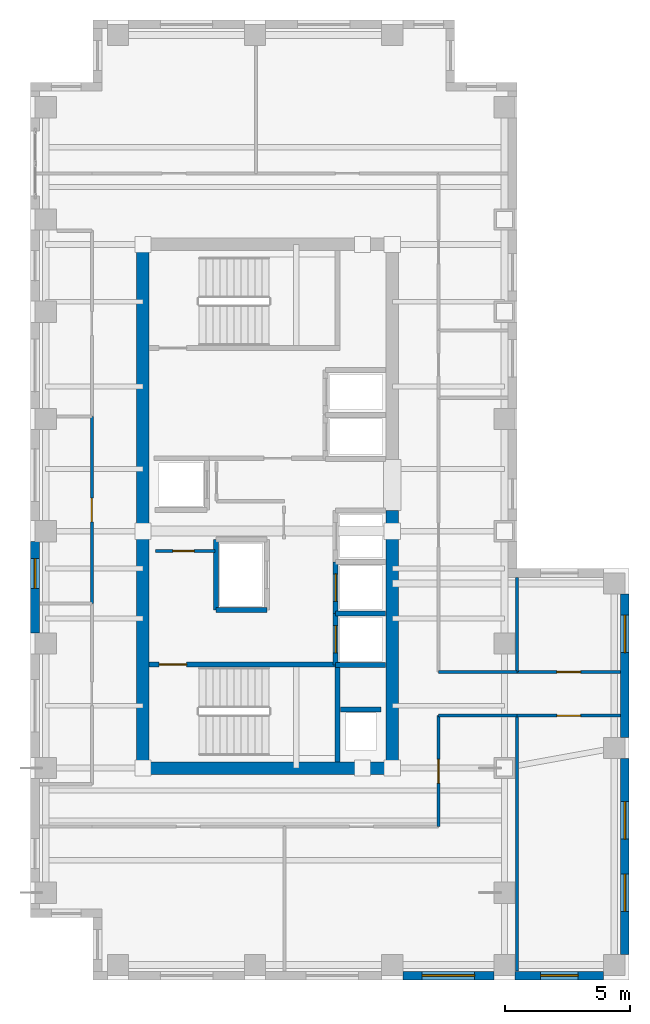
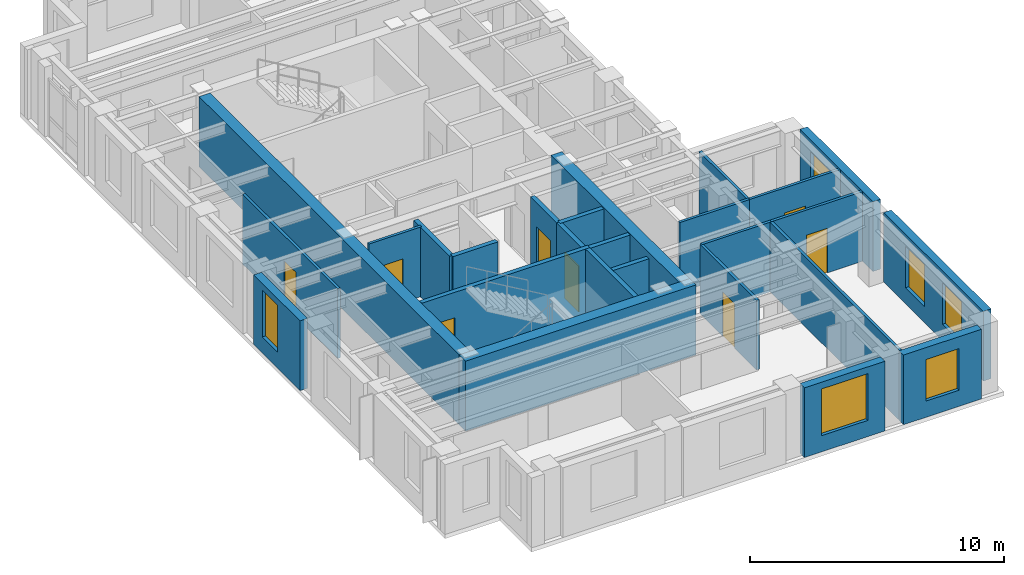
# One storey, part 6 of 10: 26 walls, 8 doors, 6 windows, 14 openings.
"""IFC4 building model written with IfcOpenShell, lengths in metres."""

from ifc_helpers import new_model, si_unit, direction, frame, frame_2d, origin, place, context, subcontext, project, spatial, rectangle, extrude, source, transform, mapped, material, layer, layer_set, type_object, element, fill, save


model = new_model("IFC4")

# Units and contexts
model_context = context("Model", 3, precision=1e-05, world=origin(), true_north=direction((0.0, 1.0)))
body_context = subcontext(model_context, "Body", "Model", "MODEL_VIEW")
ifc_project = project(units=[si_unit("LENGTHUNIT", "METRE"), si_unit("AREAUNIT", "SQUARE_METRE"), si_unit("VOLUMEUNIT", "CUBIC_METRE"), si_unit("PLANEANGLEUNIT", "RADIAN"), si_unit("MASSUNIT", "GRAM", prefix="KILO")], contexts=[model_context])

# Site, building, storey
site_placement = place(None, origin())
site = spatial("IfcSite", under=ifc_project, at=site_placement, CompositionType="ELEMENT")
building_placement = place(site_placement, origin())
building = spatial("IfcBuilding", under=site, at=building_placement, Name="Kharzan Plaza Tower", CompositionType="ELEMENT")
storey_placement = place(building_placement, frame((0.0, 0.0, 273.60009765625)))
storey = spatial("IfcBuildingStorey", under=building, at=storey_placement, Name="L74", CompositionType="ELEMENT", Elevation=273.60009765625)

# Wall, opening, window
ifc_material_1 = material(Name="Concrete C40/50", Category="concrete")
ifc_layer_1 = layer(ifc_material_1, 0.35009765625)
ifc_layer_set_1 = layer_set([ifc_layer_1], Name="Concrete C40/50")
wall_type_1 = type_object("IfcWallType", Name="WL-EXT-MAS-Z4", PredefinedType="SOLIDWALL", material=ifc_layer_set_1)
wall_1_placement = place(storey_placement, frame((0.175048828125, 17.576904296875, 0.0), z_axis=(0.0, 0.0, 1.0), x_axis=(0.0, -1.0, 0.0)))
wall_1 = element("IfcWall", 1, at=wall_1_placement, inside=storey, type_object=wall_type_1, Name="L74 Masonry-Frame Exterior Wall 14", PredefinedType="SOLIDWALL", context=body_context, shape_type="SweptSolid", body=[
    extrude(rectangle(XDim=3.65380859375, YDim=0.35009765625, at=frame_2d((1.826904296875, 0.0))), origin(), (0.0, 0.0, 1.0), 3.35498046875),
])
opening_1_placement = place(wall_1_placement, frame((0.673583984375, 0.0, 0.780029296875)))
opening_1 = element("IfcOpeningElement", 2, at=opening_1_placement, cuts=wall_1, Name="Opening W3", PredefinedType="OPENING", context=body_context, shape_type="SweptSolid", body=[
    extrude(rectangle(XDim=1.199951171875, YDim=2.25, at=frame_2d((0.60009765625, 1.125))), frame((0.0, 0.18505859375, 0.0), z_axis=(0.0, -1.0, 0.0), x_axis=(1.0, 0.0, 0.0)), (0.0, 0.0, 1.0), 0.3701171875),
])
ifc_material_2 = material(Name="Low-E Double Glazing", Category="glass")
window_type_1 = type_object("IfcWindowType", Name="WN-REC-1200x2100", PartitioningType="SINGLE_PANEL", PredefinedType="WINDOW", material=ifc_material_2)
shared_shape_1 = source(origin(), body_context, "Body", "SweptSolid", [
    extrude(rectangle(XDim=1.199951171875, YDim=2.25, at=frame_2d((0.60009765625, 1.125))), frame((0.0, 0.030029296875, 0.0), z_axis=(0.0, -1.0, 0.0), x_axis=(1.0, 0.0, 0.0)), (0.0, 0.0, 1.0), 0.06005859375),
])
window_1_placement = place(opening_1_placement, origin())
window_1 = element("IfcWindow", 3, at=window_1_placement, inside=storey, type_object=window_type_1, Name="L74 Recessed Solar-Control Window 14-1", OverallHeight=2.25, OverallWidth=1.199951171875, PartitioningType="SINGLE_PANEL", PredefinedType="WINDOW", context=body_context, shape_type="MappedRepresentation", body=[
    mapped(shared_shape_1, transform((0.0, 0.0, 0.0), x_axis=(1.0, 0.0, 0.0), y_axis=(0.0, 1.0, 0.0), z_axis=(0.0, 0.0, 1.0))),
])
fill(opening_1, window_1)

wall_2_placement = place(storey_placement, frame((14.923095703125, 0.175048828125, 0.0), z_axis=(0.0, 0.0, 1.0), x_axis=(1.0, 0.0, 0.0)))
wall_2 = element("IfcWall", 4, at=wall_2_placement, inside=storey, type_object=wall_type_1, Name="L74 Masonry-Frame Exterior Wall 23", PredefinedType="SOLIDWALL", context=body_context, shape_type="SweptSolid", body=[
    extrude(rectangle(XDim=3.65380859375, YDim=0.35009765625, at=frame_2d((1.826904296875, 0.0))), origin(), (0.0, 0.0, 1.0), 3.35498046875),
])
opening_2_placement = place(wall_2_placement, frame((0.777099609375, 0.0, 0.780029296875)))
opening_2 = element("IfcOpeningElement", 5, at=opening_2_placement, cuts=wall_2, Name="Opening W6", PredefinedType="OPENING", context=body_context, shape_type="SweptSolid", body=[
    extrude(rectangle(XDim=2.10009765625, YDim=2.25, at=frame_2d((1.050048828125, 1.125))), frame((0.0, 0.18505859375, 0.0), z_axis=(0.0, -1.0, 0.0), x_axis=(1.0, 0.0, 0.0)), (0.0, 0.0, 1.0), 0.3701171875),
])
window_type_2 = type_object("IfcWindowType", Name="WN-EXEC-2100x2250", PartitioningType="SINGLE_PANEL", PredefinedType="WINDOW", material=ifc_material_2)
shared_shape_2 = source(origin(), body_context, "Body", "SweptSolid", [
    extrude(rectangle(XDim=2.10009765625, YDim=2.25, at=frame_2d((1.050048828125, 1.125))), frame((0.0, 0.030029296875, 0.0), z_axis=(0.0, -1.0, 0.0), x_axis=(1.0, 0.0, 0.0)), (0.0, 0.0, 1.0), 0.06005859375),
])
window_2_placement = place(opening_2_placement, origin())
window_2 = element("IfcWindow", 6, at=window_2_placement, inside=storey, type_object=window_type_2, Name="L74 Recessed Solar-Control Window 23-1", OverallHeight=2.25, OverallWidth=2.10009765625, PartitioningType="SINGLE_PANEL", PredefinedType="WINDOW", context=body_context, shape_type="MappedRepresentation", body=[
    mapped(shared_shape_2, transform((0.0, 0.0, 0.0), x_axis=(1.0, 0.0, 0.0), y_axis=(0.0, 1.0, 0.0), z_axis=(0.0, 0.0, 1.0))),
])
fill(opening_2, window_2)

wall_3_placement = place(storey_placement, frame((19.423095703125, 0.175048828125, 0.0), z_axis=(0.0, 0.0, 1.0), x_axis=(1.0, 0.0, 0.0)))
wall_3 = element("IfcWall", 7, at=wall_3_placement, inside=storey, type_object=wall_type_1, Name="L74 Masonry-Frame Exterior Wall 24", PredefinedType="SOLIDWALL", context=body_context, shape_type="SweptSolid", body=[
    extrude(rectangle(XDim=3.553955078125, YDim=0.35009765625, at=frame_2d((1.77685546875, 0.0))), origin(), (0.0, 0.0, 1.0), 3.35498046875),
])
opening_3_placement = place(wall_3_placement, frame((1.030517578125, 0.0, 0.780029296875)))
opening_3 = element("IfcOpeningElement", 8, at=opening_3_placement, cuts=wall_3, Name="Opening W5", PredefinedType="OPENING", context=body_context, shape_type="SweptSolid", body=[
    extrude(rectangle(XDim=1.5, YDim=2.0, at=frame_2d((0.75, 1.0))), frame((0.0, 0.18505859375, 0.0), z_axis=(0.0, -1.0, 0.0), x_axis=(1.0, 0.0, 0.0)), (0.0, 0.0, 1.0), 0.3701171875),
])
window_type_3 = type_object("IfcWindowType", Name="WN-SLT-1500x2000", PartitioningType="SINGLE_PANEL", PredefinedType="WINDOW", material=ifc_material_2)
shared_shape_3 = source(origin(), body_context, "Body", "SweptSolid", [
    extrude(rectangle(XDim=1.5, YDim=2.0, at=frame_2d((0.75, 1.0))), frame((0.0, 0.030029296875, 0.0), z_axis=(0.0, -1.0, 0.0), x_axis=(1.0, 0.0, 0.0)), (0.0, 0.0, 1.0), 0.06005859375),
])
window_3_placement = place(opening_3_placement, origin())
window_3 = element("IfcWindow", 9, at=window_3_placement, inside=storey, type_object=window_type_3, Name="L74 Recessed Solar-Control Window 24-1", OverallHeight=2.0, OverallWidth=1.5, PartitioningType="SINGLE_PANEL", PredefinedType="WINDOW", context=body_context, shape_type="MappedRepresentation", body=[
    mapped(shared_shape_3, transform((0.0, 0.0, 0.0), x_axis=(1.0, 0.0, 0.0), y_axis=(0.0, 1.0, 0.0), z_axis=(0.0, 0.0, 1.0))),
])
fill(opening_3, window_3)

# Wall, openings, windows
wall_4_placement = place(storey_placement, frame((23.824951171875, 1.02294921875, 0.0), z_axis=(0.0, 0.0, 1.0), x_axis=(0.0, 1.0, 0.0)))
wall_4 = element("IfcWall", 10, at=wall_4_placement, inside=storey, type_object=wall_type_1, Name="L74 Masonry-Frame Exterior Wall 25", PredefinedType="SOLIDWALL", context=body_context, shape_type="SweptSolid", body=[
    extrude(rectangle(XDim=7.85400390625, YDim=0.35009765625, at=frame_2d((3.927001953125, 0.0))), origin(), (0.0, 0.0, 1.0), 3.35498046875),
])
opening_4_placement = place(wall_4_placement, frame((1.724609375, 0.0, 0.780029296875)))
opening_4 = element("IfcOpeningElement", 11, at=opening_4_placement, cuts=wall_4, Name="Opening W5", PredefinedType="OPENING", context=body_context, shape_type="SweptSolid", body=[
    extrude(rectangle(XDim=1.5, YDim=2.0, at=frame_2d((0.75, 1.0))), frame((0.0, 0.18505859375, 0.0), z_axis=(0.0, -1.0, 0.0), x_axis=(1.0, 0.0, 0.0)), (0.0, 0.0, 1.0), 0.3701171875),
])
opening_5_placement = place(wall_4_placement, frame((4.62939453125, 0.0, 0.780029296875)))
opening_5 = element("IfcOpeningElement", 12, at=opening_5_placement, cuts=wall_4, Name="Opening W5", PredefinedType="OPENING", context=body_context, shape_type="SweptSolid", body=[
    extrude(rectangle(XDim=1.5, YDim=2.0, at=frame_2d((0.75, 1.0))), frame((0.0, 0.18505859375, 0.0), z_axis=(0.0, -1.0, 0.0), x_axis=(1.0, 0.0, 0.0)), (0.0, 0.0, 1.0), 0.3701171875),
])
window_4_placement = place(opening_4_placement, origin())
window_4 = element("IfcWindow", 13, at=window_4_placement, inside=storey, type_object=window_type_3, Name="L74 Recessed Solar-Control Window 25-1", OverallHeight=2.0, OverallWidth=1.5, PartitioningType="SINGLE_PANEL", PredefinedType="WINDOW", context=body_context, shape_type="MappedRepresentation", body=[
    mapped(shared_shape_3, transform((0.0, 0.0, 0.0), x_axis=(1.0, 0.0, 0.0), y_axis=(0.0, 1.0, 0.0), z_axis=(0.0, 0.0, 1.0))),
])
fill(opening_4, window_4)
window_5_placement = place(opening_5_placement, origin())
window_5 = element("IfcWindow", 14, at=window_5_placement, inside=storey, type_object=window_type_3, Name="L74 Recessed Solar-Control Window 25-2", OverallHeight=2.0, OverallWidth=1.5, PartitioningType="SINGLE_PANEL", PredefinedType="WINDOW", context=body_context, shape_type="MappedRepresentation", body=[
    mapped(shared_shape_3, transform((0.0, 0.0, 0.0), x_axis=(1.0, 0.0, 0.0), y_axis=(0.0, 1.0, 0.0), z_axis=(0.0, 0.0, 1.0))),
])
fill(opening_5, window_5)

# Wall, opening, window
wall_5_placement = place(storey_placement, frame((23.824951171875, 9.722900390625, 0.0), z_axis=(0.0, 0.0, 1.0), x_axis=(0.0, 1.0, 0.0)))
wall_5 = element("IfcWall", 15, at=wall_5_placement, inside=storey, type_object=wall_type_1, Name="L74 Masonry-Frame Exterior Wall 26", PredefinedType="SOLIDWALL", context=body_context, shape_type="SweptSolid", body=[
    extrude(rectangle(XDim=5.754150390625, YDim=0.35009765625, at=frame_2d((2.876953125, 0.0))), origin(), (0.0, 0.0, 1.0), 3.35498046875),
])
opening_6_placement = place(wall_5_placement, frame((3.405517578125, 0.0, 0.780029296875)))
opening_6 = element("IfcOpeningElement", 16, at=opening_6_placement, cuts=wall_5, Name="Opening W5", PredefinedType="OPENING", context=body_context, shape_type="SweptSolid", body=[
    extrude(rectangle(XDim=1.5, YDim=2.0, at=frame_2d((0.75, 1.0))), frame((0.0, 0.18505859375, 0.0), z_axis=(0.0, -1.0, 0.0), x_axis=(1.0, 0.0, 0.0)), (0.0, 0.0, 1.0), 0.3701171875),
])
window_6_placement = place(opening_6_placement, origin())
window_6 = element("IfcWindow", 17, at=window_6_placement, inside=storey, type_object=window_type_3, Name="L74 Recessed Solar-Control Window 26-1", OverallHeight=2.0, OverallWidth=1.5, PartitioningType="SINGLE_PANEL", PredefinedType="WINDOW", context=body_context, shape_type="MappedRepresentation", body=[
    mapped(shared_shape_3, transform((0.0, 0.0, 0.0), x_axis=(1.0, 0.0, 0.0), y_axis=(0.0, 1.0, 0.0), z_axis=(0.0, 0.0, 1.0))),
])
fill(opening_6, window_6)

# Wall, opening, door
ifc_material_3 = material(Name="Fire-Rated Gypsum Board Partition", Category="gypsum")
ifc_layer_2 = layer(ifc_material_3, 0.125)
ifc_layer_set_2 = layer_set([ifc_layer_2], Name="Fire-Rated Gypsum Board Partition")
wall_type_2 = type_object("IfcWallType", Name="WL-INT-PART-125", PredefinedType="PARTITIONING", material=ifc_layer_set_2)
wall_6_placement = place(storey_placement, frame((5.0, 17.199951171875, 0.0), z_axis=(0.0, 0.0, 1.0), x_axis=(1.0, 0.0, 0.0)))
wall_6 = element("IfcWall", 18, at=wall_6_placement, inside=storey, type_object=wall_type_2, Name="L74 Interior Partition CA-K2N0", PredefinedType="PARTITIONING", context=body_context, shape_type="SweptSolid", body=[
    extrude(rectangle(XDim=2.39990234375, YDim=0.125, at=frame_2d((1.199951171875, 0.0))), origin(), (0.0, 0.0, 1.0), 3.35498046875),
])
opening_7_placement = place(wall_6_placement, frame((0.699951171875, 0.0, 0.0)))
opening_7 = element("IfcOpeningElement", 19, at=opening_7_placement, cuts=wall_6, Name="Opening RD1", PredefinedType="OPENING", context=body_context, shape_type="SweptSolid", body=[
    extrude(rectangle(XDim=0.85009765625, YDim=2.10009765625, at=frame_2d((0.425048828125, 1.050048828125))), frame((0.0, 0.072509765625, 0.0), z_axis=(0.0, -1.0, 0.0), x_axis=(1.0, 0.0, 0.0)), (0.0, 0.0, 1.0), 0.14501953125),
])
ifc_material_4 = material(Name="Powder-Coated Fire-Rated Steel", Category="steel")
door_type_1 = type_object("IfcDoorType", Name="DR-RISER-900", OperationType="NOTDEFINED", PredefinedType="DOOR", material=ifc_material_4)
shared_shape_4 = source(origin(), body_context, "Body", "SweptSolid", [
    extrude(rectangle(XDim=0.85009765625, YDim=2.10009765625, at=frame_2d((0.425048828125, 1.050048828125))), frame((0.0, 0.02490234375, 0.0), z_axis=(0.0, -1.0, 0.0), x_axis=(1.0, 0.0, 0.0)), (0.0, 0.0, 1.0), 0.050048828125),
])
door_1_placement = place(opening_7_placement, origin())
door_1 = element("IfcDoor", 20, at=door_1_placement, inside=storey, type_object=door_type_1, Name="L74 Core Electrical Store Door", OperationType="SINGLE_SWING_RIGHT", OverallHeight=2.10009765625, OverallWidth=0.85009765625, PredefinedType="DOOR", context=body_context, shape_type="MappedRepresentation", body=[
    mapped(shared_shape_4, transform((0.0, 0.0, 0.0), x_axis=(1.0, 0.0, 0.0), y_axis=(0.0, 1.0, 0.0), z_axis=(0.0, 0.0, 1.0))),
])
fill(opening_7, door_1)

wall_7_placement = place(storey_placement, frame((16.35009765625, 6.14990234375, 0.0), z_axis=(0.0, 0.0, 1.0), x_axis=(0.0, 1.0, 0.0)))
wall_7 = element("IfcWall", 21, at=wall_7_placement, inside=storey, type_object=wall_type_2, Name="L74 Interior Partition SH-AEW1", PredefinedType="PARTITIONING", context=body_context, shape_type="SweptSolid", body=[
    extrude(rectangle(XDim=4.4501953125, YDim=0.125, at=frame_2d((2.22509765625, 0.0))), origin(), (0.0, 0.0, 1.0), 3.35498046875),
])
opening_8_placement = place(wall_7_placement, frame((1.75, 0.0, 0.0)))
opening_8 = element("IfcOpeningElement", 22, at=opening_8_placement, cuts=wall_7, Name="Opening OD1", PredefinedType="OPENING", context=body_context, shape_type="SweptSolid", body=[
    extrude(rectangle(XDim=0.949951171875, YDim=2.14990234375, at=frame_2d((0.47509765625, 1.074951171875))), frame((0.0, 0.072509765625, 0.0), z_axis=(0.0, -1.0, 0.0), x_axis=(1.0, 0.0, 0.0)), (0.0, 0.0, 1.0), 0.14501953125),
])
ifc_material_5 = material(Name="Acoustic Solid-Core Stained Oak", Category="timber")
door_type_2 = type_object("IfcDoorType", Name="DR-OFF-SINGLE", OperationType="NOTDEFINED", PredefinedType="DOOR", material=ifc_material_5)
shared_shape_5 = source(origin(), body_context, "Body", "SweptSolid", [
    extrude(rectangle(XDim=0.949951171875, YDim=2.14990234375, at=frame_2d((0.47509765625, 1.074951171875))), frame((0.0, 0.02490234375, 0.0), z_axis=(0.0, -1.0, 0.0), x_axis=(1.0, 0.0, 0.0)), (0.0, 0.0, 1.0), 0.050048828125),
])
door_2_placement = place(opening_8_placement, origin())
door_2 = element("IfcDoor", 23, at=door_2_placement, inside=storey, type_object=door_type_2, Name="L74 South Slot Office Door", OperationType="SINGLE_SWING_RIGHT", OverallHeight=2.14990234375, OverallWidth=0.949951171875, PredefinedType="DOOR", context=body_context, shape_type="MappedRepresentation", body=[
    mapped(shared_shape_5, transform((0.0, 0.0, 0.0), x_axis=(1.0, 0.0, 0.0), y_axis=(0.0, 1.0, 0.0), z_axis=(0.0, 0.0, 1.0))),
])
fill(opening_8, door_2)

wall_8_placement = place(storey_placement, frame((19.5, 10.60009765625, 0.0), z_axis=(0.0, 0.0, 1.0), x_axis=(1.0, 0.0, 0.0)))
wall_8 = element("IfcWall", 24, at=wall_8_placement, inside=storey, type_object=wall_type_2, Name="L74 Interior Partition SH-SHD1", PredefinedType="PARTITIONING", context=body_context, shape_type="SweptSolid", body=[
    extrude(rectangle(XDim=4.14794921875, YDim=0.125, at=frame_2d((2.073974609375, 0.0))), origin(), (0.0, 0.0, 1.0), 3.35498046875),
])
opening_9_placement = place(wall_8_placement, frame((1.60009765625, 0.0, 0.0)))
opening_9 = element("IfcOpeningElement", 25, at=opening_9_placement, cuts=wall_8, Name="Opening OD1", PredefinedType="OPENING", context=body_context, shape_type="SweptSolid", body=[
    extrude(rectangle(XDim=0.949951171875, YDim=2.14990234375, at=frame_2d((0.47509765625, 1.074951171875))), frame((0.0, 0.072509765625, 0.0), z_axis=(0.0, -1.0, 0.0), x_axis=(1.0, 0.0, 0.0)), (0.0, 0.0, 1.0), 0.14501953125),
])
door_3_placement = place(opening_9_placement, origin())
door_3 = element("IfcDoor", 26, at=door_3_placement, inside=storey, type_object=door_type_2, Name="L74 South Shoulder Lab Door", OperationType="SINGLE_SWING_RIGHT", OverallHeight=2.14990234375, OverallWidth=0.949951171875, PredefinedType="DOOR", context=body_context, shape_type="MappedRepresentation", body=[
    mapped(shared_shape_5, transform((0.0, 0.0, 0.0), x_axis=(1.0, 0.0, 0.0), y_axis=(0.0, 1.0, 0.0), z_axis=(0.0, 0.0, 1.0))),
])
fill(opening_9, door_3)

wall_9_placement = place(storey_placement, frame((19.5, 12.35009765625, 0.0), z_axis=(0.0, 0.0, 1.0), x_axis=(1.0, 0.0, 0.0)))
wall_9 = element("IfcWall", 27, at=wall_9_placement, inside=storey, type_object=wall_type_2, Name="L74 Interior Partition SH-SHD2", PredefinedType="PARTITIONING", context=body_context, shape_type="SweptSolid", body=[
    extrude(rectangle(XDim=4.14794921875, YDim=0.125, at=frame_2d((2.073974609375, 0.0))), origin(), (0.0, 0.0, 1.0), 3.35498046875),
])
opening_10_placement = place(wall_9_placement, frame((1.60009765625, 0.0, 0.0)))
opening_10 = element("IfcOpeningElement", 28, at=opening_10_placement, cuts=wall_9, Name="Opening OD1", PredefinedType="OPENING", context=body_context, shape_type="SweptSolid", body=[
    extrude(rectangle(XDim=0.949951171875, YDim=2.14990234375, at=frame_2d((0.47509765625, 1.074951171875))), frame((0.0, 0.072509765625, 0.0), z_axis=(0.0, -1.0, 0.0), x_axis=(1.0, 0.0, 0.0)), (0.0, 0.0, 1.0), 0.14501953125),
])
door_4_placement = place(opening_10_placement, origin())
door_4 = element("IfcDoor", 29, at=door_4_placement, inside=storey, type_object=door_type_2, Name="L74 North Shoulder Lab Door", OperationType="SINGLE_SWING_LEFT", OverallHeight=2.14990234375, OverallWidth=0.949951171875, PredefinedType="DOOR", context=body_context, shape_type="MappedRepresentation", body=[
    mapped(shared_shape_5, transform((0.0, 0.0, 0.0), x_axis=(1.0, 0.0, 0.0), y_axis=(0.0, 1.0, 0.0), z_axis=(0.0, 0.0, 1.0))),
])
fill(opening_10, door_4)

wall_10_placement = place(storey_placement, frame((2.449951171875, 15.10009765625, 0.0), z_axis=(0.0, 0.0, 1.0), x_axis=(0.0, 1.0, 0.0)))
wall_10 = element("IfcWall", 30, at=wall_10_placement, inside=storey, type_object=wall_type_2, Name="L74 Interior Partition SH-WW-2", PredefinedType="PARTITIONING", context=body_context, shape_type="SweptSolid", body=[
    extrude(rectangle(XDim=7.5, YDim=0.125, at=frame_2d((3.75, 0.0))), origin(), (0.0, 0.0, 1.0), 3.35498046875),
])
opening_11_placement = place(wall_10_placement, frame((3.27490234375, 0.0, 0.0)))
opening_11 = element("IfcOpeningElement", 31, at=opening_11_placement, cuts=wall_10, Name="Opening OD1", PredefinedType="OPENING", context=body_context, shape_type="SweptSolid", body=[
    extrude(rectangle(XDim=0.949951171875, YDim=2.14990234375, at=frame_2d((0.47509765625, 1.074951171875))), frame((0.0, 0.072509765625, 0.0), z_axis=(0.0, -1.0, 0.0), x_axis=(1.0, 0.0, 0.0)), (0.0, 0.0, 1.0), 0.14501953125),
])
door_5_placement = place(opening_11_placement, origin())
door_5 = element("IfcDoor", 32, at=door_5_placement, inside=storey, type_object=door_type_2, Name="L74 Sprint Review Meeting Room Door", OperationType="SINGLE_SWING_RIGHT", OverallHeight=2.14990234375, OverallWidth=0.949951171875, PredefinedType="DOOR", context=body_context, shape_type="MappedRepresentation", body=[
    mapped(shared_shape_5, transform((0.0, 0.0, 0.0), x_axis=(1.0, 0.0, 0.0), y_axis=(0.0, 1.0, 0.0), z_axis=(0.0, 0.0, 1.0))),
])
fill(opening_11, door_5)

ifc_layer_3 = layer(ifc_material_1, 0.199951171875)
ifc_layer_set_3 = layer_set([ifc_layer_3], Name="Concrete C40/50")
wall_type_3 = type_object("IfcWallType", Name="WL-INT-SHAFT-200", PredefinedType="PARTITIONING", material=ifc_layer_set_3)
wall_11_placement = place(storey_placement, frame((12.22998046875, 12.6298828125, 0.0), z_axis=(0.0, 0.0, 1.0), x_axis=(0.0, 1.0, 0.0)))
wall_11 = element("IfcWall", 33, at=wall_11_placement, inside=storey, type_object=wall_type_3, Name="L74 Interior Partition SHF-PL-H1-W", PredefinedType="PARTITIONING", context=body_context, shape_type="SweptSolid", body=[
    extrude(rectangle(XDim=2.070068359375, YDim=0.199951171875, at=frame_2d((1.03515625, 0.0))), origin(), (0.0, 0.0, 1.0), 3.35498046875),
])
opening_12_placement = place(wall_11_placement, frame((0.485107421875, 0.0, 0.0)))
opening_12 = element("IfcOpeningElement", 34, at=opening_12_placement, cuts=wall_11, Name="Opening LD", PredefinedType="OPENING", context=body_context, shape_type="SweptSolid", body=[
    extrude(rectangle(XDim=1.10009765625, YDim=2.199951171875, at=frame_2d((0.550048828125, 1.10009765625))), frame((0.0, 0.10986328125, 0.0), z_axis=(0.0, -1.0, 0.0), x_axis=(1.0, 0.0, 0.0)), (0.0, 0.0, 1.0), 0.219970703125),
])
ifc_material_6 = material(Name="Brushed Stainless Steel", Category="steel")
door_type_3 = type_object("IfcDoorType", Name="DR-LIFT-SLIDE", OperationType="SLIDING_TO_LEFT", PredefinedType="DOOR", material=ifc_material_6)
shared_shape_6 = source(origin(), body_context, "Body", "SweptSolid", [
    extrude(rectangle(XDim=1.10009765625, YDim=2.199951171875, at=frame_2d((0.550048828125, 1.10009765625))), frame((0.0, 0.02490234375, 0.0), z_axis=(0.0, -1.0, 0.0), x_axis=(1.0, 0.0, 0.0)), (0.0, 0.0, 1.0), 0.050048828125),
])
door_6_placement = place(opening_12_placement, origin())
door_6 = element("IfcDoor", 35, at=door_6_placement, inside=storey, type_object=door_type_3, Name="L74 High-Rise Passenger Lift PL-H1 Sliding Landing Door", OperationType="SLIDING_TO_LEFT", OverallHeight=2.199951171875, OverallWidth=1.10009765625, PredefinedType="DOOR", context=body_context, shape_type="MappedRepresentation", body=[
    mapped(shared_shape_6, transform((0.0, 0.0, 0.0), x_axis=(1.0, 0.0, 0.0), y_axis=(0.0, 1.0, 0.0), z_axis=(0.0, 0.0, 1.0))),
])
fill(opening_12, door_6)

wall_12_placement = place(storey_placement, frame((12.22998046875, 14.699951171875, 0.0), z_axis=(0.0, 0.0, 1.0), x_axis=(0.0, 1.0, 0.0)))
wall_12 = element("IfcWall", 36, at=wall_12_placement, inside=storey, type_object=wall_type_3, Name="L74 Interior Partition SHF-PL-H2-W", PredefinedType="PARTITIONING", context=body_context, shape_type="SweptSolid", body=[
    extrude(rectangle(XDim=2.070068359375, YDim=0.199951171875, at=frame_2d((1.03515625, 0.0))), origin(), (0.0, 0.0, 1.0), 3.35498046875),
])
opening_13_placement = place(wall_12_placement, frame((0.485107421875, 0.0, 0.0)))
opening_13 = element("IfcOpeningElement", 37, at=opening_13_placement, cuts=wall_12, Name="Opening LD", PredefinedType="OPENING", context=body_context, shape_type="SweptSolid", body=[
    extrude(rectangle(XDim=1.10009765625, YDim=2.199951171875, at=frame_2d((0.550048828125, 1.10009765625))), frame((0.0, 0.10986328125, 0.0), z_axis=(0.0, -1.0, 0.0), x_axis=(1.0, 0.0, 0.0)), (0.0, 0.0, 1.0), 0.219970703125),
])
door_7_placement = place(opening_13_placement, origin())
door_7 = element("IfcDoor", 38, at=door_7_placement, inside=storey, type_object=door_type_3, Name="L74 High-Rise Passenger Lift PL-H2 Sliding Landing Door", OperationType="SLIDING_TO_LEFT", OverallHeight=2.199951171875, OverallWidth=1.10009765625, PredefinedType="DOOR", context=body_context, shape_type="MappedRepresentation", body=[
    mapped(shared_shape_6, transform((0.0, 0.0, 0.0), x_axis=(1.0, 0.0, 0.0), y_axis=(0.0, 1.0, 0.0), z_axis=(0.0, 0.0, 1.0))),
])
fill(opening_13, door_7)

ifc_material_7 = material(Name="Concrete C50/60", Category="concrete")
ifc_layer_4 = layer(ifc_material_7, 0.199951171875)
ifc_layer_set_4 = layer_set([ifc_layer_4], Name="Concrete C50/60")
wall_type_4 = type_object("IfcWallType", Name="WL-SHAFT-RC200", PredefinedType="SHEAR", material=ifc_layer_set_4)
wall_13_placement = place(storey_placement, frame((4.751953125, 12.655029296875, 0.0), z_axis=(0.0, 0.0, 1.0), x_axis=(1.0, 0.0, 0.0)))
wall_13 = element("IfcWall", 39, at=wall_13_placement, inside=storey, type_object=wall_type_4, Name="L74 Stair ST-1 North RC Shaft Wall", PredefinedType="SHEAR", context=body_context, shape_type="SweptSolid", body=[
    extrude(rectangle(XDim=7.653076171875, YDim=0.199951171875, at=frame_2d((3.82666015625, 0.0))), origin(), (0.0, 0.0, 1.0), 3.369873046875),
])
opening_14_placement = place(wall_13_placement, frame((0.39990234375, 0.0, 0.0)))
opening_14 = element("IfcOpeningElement", 40, at=opening_14_placement, cuts=wall_13, Name="Opening SD1", PredefinedType="OPENING", context=body_context, shape_type="SweptSolid", body=[
    extrude(rectangle(XDim=1.10009765625, YDim=2.14990234375, at=frame_2d((0.550048828125, 1.074951171875))), frame((0.0, 0.10986328125, 0.0), z_axis=(0.0, -1.0, 0.0), x_axis=(1.0, 0.0, 0.0)), (0.0, 0.0, 1.0), 0.219970703125),
])
ifc_material_8 = material(Name="Fire-Rated Hollow Galvanized Steel", Category="steel")
door_type_4 = type_object("IfcDoorType", Name="DR-STAIR-FD120", OperationType="NOTDEFINED", PredefinedType="DOOR", material=ifc_material_8)
shared_shape_7 = source(origin(), body_context, "Body", "SweptSolid", [
    extrude(rectangle(XDim=1.10009765625, YDim=2.14990234375, at=frame_2d((0.550048828125, 1.074951171875))), frame((0.0, 0.02490234375, 0.0), z_axis=(0.0, -1.0, 0.0), x_axis=(1.0, 0.0, 0.0)), (0.0, 0.0, 1.0), 0.050048828125),
])
door_8_placement = place(opening_14_placement, origin())
door_8 = element("IfcDoor", 41, at=door_8_placement, inside=storey, type_object=door_type_4, Name="L74 Stair ST-1 Fire Exit Door", OperationType="SINGLE_SWING_LEFT", OverallHeight=2.14990234375, OverallWidth=1.10009765625, PredefinedType="DOOR", context=body_context, shape_type="MappedRepresentation", body=[
    mapped(shared_shape_7, transform((0.0, 0.0, 0.0), x_axis=(1.0, 0.0, 0.0), y_axis=(0.0, 1.0, 0.0), z_axis=(0.0, 0.0, 1.0))),
])
fill(opening_14, door_8)

# Walls
ifc_layer_5 = layer(ifc_material_7, 0.5)
ifc_layer_set_5 = layer_set([ifc_layer_5], Name="Concrete C50/60")
wall_type_5 = type_object("IfcWallType", Name="WL-CORE-500", PredefinedType="SHEAR", material=ifc_layer_set_5)
shared_shape_8 = source(origin(), body_context, "Body", "SweptSolid", [
    extrude(rectangle(XDim=10.070068359375, YDim=0.5, at=frame_2d((5.03515625, 0.0))), origin(), (0.0, 0.0, 1.0), 3.369873046875),
])
wall_14_placement = place(storey_placement, frame((14.5, 8.75, 0.0), z_axis=(0.0, 0.0, 1.0), x_axis=(0.0, 1.0, 0.0)))
element("IfcWall", 42, at=wall_14_placement, inside=storey, type_object=wall_type_5, Name="L74 CORE-A east shear pier 1", PredefinedType="SHEAR", context=body_context, shape_type="MappedRepresentation", body=[
    mapped(shared_shape_8, transform((0.0, 0.0, 0.0), x_axis=(1.0, 0.0, 0.0), y_axis=(0.0, 1.0, 0.0), z_axis=(0.0, 0.0, 1.0))),
])
shared_shape_9 = source(origin(), body_context, "Body", "SweptSolid", [
    extrude(rectangle(XDim=10.5, YDim=0.5, at=frame_2d((5.25, 0.0))), origin(), (0.0, 0.0, 1.0), 3.369873046875),
])
wall_15_placement = place(storey_placement, frame((4.25, 8.5, 0.0), z_axis=(0.0, 0.0, 1.0), x_axis=(1.0, 0.0, 0.0)))
element("IfcWall", 43, at=wall_15_placement, inside=storey, type_object=wall_type_5, Name="L74 CORE-A south RC shear wall", PredefinedType="SHEAR", context=body_context, shape_type="MappedRepresentation", body=[
    mapped(shared_shape_9, transform((0.0, 0.0, 0.0), x_axis=(1.0, 0.0, 0.0), y_axis=(0.0, 1.0, 0.0), z_axis=(0.0, 0.0, 1.0))),
])
shared_shape_10 = source(origin(), body_context, "Body", "SweptSolid", [
    extrude(rectangle(XDim=20.5, YDim=0.5, at=frame_2d((10.25, 0.0))), origin(), (0.0, 0.0, 1.0), 3.369873046875),
])
wall_16_placement = place(storey_placement, frame((4.5, 8.75, 0.0), z_axis=(0.0, 0.0, 1.0), x_axis=(0.0, 1.0, 0.0)))
element("IfcWall", 44, at=wall_16_placement, inside=storey, type_object=wall_type_5, Name="L74 CORE-A west RC shear wall", PredefinedType="SHEAR", context=body_context, shape_type="MappedRepresentation", body=[
    mapped(shared_shape_10, transform((0.0, 0.0, 0.0), x_axis=(1.0, 0.0, 0.0), y_axis=(0.0, 1.0, 0.0), z_axis=(0.0, 0.0, 1.0))),
])
shared_shape_11 = source(origin(), body_context, "Body", "SweptSolid", [
    extrude(rectangle(XDim=3.14990234375, YDim=0.125, at=frame_2d((1.574951171875, 0.0))), origin(), (0.0, 0.0, 1.0), 3.35498046875),
])
for number, where, z_axis, x_axis, name in (
    (45, (16.35009765625, 12.35009765625, 0.0), (0.0, 0.0, 1.0), (1.0, 0.0, 0.0), "L74 Interior Partition SH-AEN0"),
    (46, (16.35009765625, 10.60009765625, 0.0), (0.0, 0.0, 1.0), (1.0, 0.0, 0.0), "L74 Interior Partition SH-AES0"),
):
    element("IfcWall", number, at=place(storey_placement, frame(where, z_axis=z_axis, x_axis=x_axis)), inside=storey, type_object=wall_type_2, Name=name, PredefinedType="PARTITIONING", context=body_context, shape_type="MappedRepresentation", body=[
        mapped(shared_shape_11, transform((0.0, 0.0, 0.0), x_axis=(1.0, 0.0, 0.0), y_axis=(0.0, 1.0, 0.0), z_axis=(0.0, 0.0, 1.0))),
    ])
shared_shape_12 = source(origin(), body_context, "Body", "SweptSolid", [
    extrude(rectangle(XDim=10.248046875, YDim=0.125, at=frame_2d((5.1240234375, 0.0))), origin(), (0.0, 0.0, 1.0), 3.35498046875),
])
wall_17_placement = place(storey_placement, frame((19.5, 0.35205078125, 0.0), z_axis=(0.0, 0.0, 1.0), x_axis=(0.0, 1.0, 0.0)))
element("IfcWall", 47, at=wall_17_placement, inside=storey, type_object=wall_type_2, Name="L74 Interior Partition SH-SHW1", PredefinedType="PARTITIONING", context=body_context, shape_type="MappedRepresentation", body=[
    mapped(shared_shape_12, transform((0.0, 0.0, 0.0), x_axis=(1.0, 0.0, 0.0), y_axis=(0.0, 1.0, 0.0), z_axis=(0.0, 0.0, 1.0))),
])
shared_shape_13 = source(origin(), body_context, "Body", "SweptSolid", [
    extrude(rectangle(XDim=3.7978515625, YDim=0.125, at=frame_2d((1.89892578125, 0.0))), origin(), (0.0, 0.0, 1.0), 3.35498046875),
])
wall_18_placement = place(storey_placement, frame((19.5, 12.35009765625, 0.0), z_axis=(0.0, 0.0, 1.0), x_axis=(0.0, 1.0, 0.0)))
element("IfcWall", 48, at=wall_18_placement, inside=storey, type_object=wall_type_2, Name="L74 Interior Partition SH-SHW2", PredefinedType="PARTITIONING", context=body_context, shape_type="MappedRepresentation", body=[
    mapped(shared_shape_13, transform((0.0, 0.0, 0.0), x_axis=(1.0, 0.0, 0.0), y_axis=(0.0, 1.0, 0.0), z_axis=(0.0, 0.0, 1.0))),
])
shared_shape_14 = source(origin(), body_context, "Body", "SweptSolid", [
    extrude(rectangle(XDim=1.630126953125, YDim=0.199951171875, at=frame_2d((0.81494140625, 0.0))), origin(), (0.0, 0.0, 1.0), 3.35498046875),
])
wall_19_placement = place(storey_placement, frame((12.419921875, 10.85009765625, 0.0), z_axis=(0.0, 0.0, 1.0), x_axis=(1.0, 0.0, 0.0)))
element("IfcWall", 49, at=wall_19_placement, inside=storey, type_object=wall_type_3, Name="L74 Interior Partition CA-RSRA-N", PredefinedType="PARTITIONING", context=body_context, shape_type="MappedRepresentation", body=[
    mapped(shared_shape_14, transform((0.0, 0.0, 0.0), x_axis=(1.0, 0.0, 0.0), y_axis=(0.0, 1.0, 0.0), z_axis=(0.0, 0.0, 1.0))),
])
shared_shape_15 = source(origin(), body_context, "Body", "SweptSolid", [
    extrude(rectangle(XDim=1.989990234375, YDim=0.199951171875, at=frame_2d((0.9951171875, 0.0))), origin(), (0.0, 0.0, 1.0), 3.35498046875),
])
for number, where, z_axis, x_axis, name in (
    (50, (12.22998046875, 14.699951171875, 0.0), (0.0, 0.0, 1.0), (1.0, 0.0, 0.0), "L74 Interior Partition SHF-PL-H1-N"),
    (51, (12.22998046875, 12.6298828125, 0.0), (0.0, 0.0, 1.0), (1.0, 0.0, 0.0), "L74 Interior Partition SHF-PL-H1-S"),
):
    element("IfcWall", number, at=place(storey_placement, frame(where, z_axis=z_axis, x_axis=x_axis)), inside=storey, type_object=wall_type_3, Name=name, PredefinedType="PARTITIONING", context=body_context, shape_type="MappedRepresentation", body=[
        mapped(shared_shape_15, transform((0.0, 0.0, 0.0), x_axis=(1.0, 0.0, 0.0), y_axis=(0.0, 1.0, 0.0), z_axis=(0.0, 0.0, 1.0))),
    ])
shared_shape_16 = source(origin(), body_context, "Body", "SweptSolid", [
    extrude(rectangle(XDim=2.0400390625, YDim=0.199951171875, at=frame_2d((1.02001953125, 0.0))), origin(), (0.0, 0.0, 1.0), 3.35498046875),
])
wall_20_placement = place(storey_placement, frame((7.429931640625, 14.830078125, 0.0), z_axis=(0.0, 0.0, 1.0), x_axis=(1.0, 0.0, 0.0)))
element("IfcWall", 52, at=wall_20_placement, inside=storey, type_object=wall_type_3, Name="L74 Interior Partition SHF-SVL-1-S", PredefinedType="PARTITIONING", context=body_context, shape_type="MappedRepresentation", body=[
    mapped(shared_shape_16, transform((0.0, 0.0, 0.0), x_axis=(1.0, 0.0, 0.0), y_axis=(0.0, 1.0, 0.0), z_axis=(0.0, 0.0, 1.0))),
])
shared_shape_17 = source(origin(), body_context, "Body", "SweptSolid", [
    extrude(rectangle(XDim=2.83984375, YDim=0.199951171875, at=frame_2d((1.419921875, 0.0))), origin(), (0.0, 0.0, 1.0), 3.35498046875),
])
wall_21_placement = place(storey_placement, frame((7.429931640625, 14.830078125, 0.0), z_axis=(0.0, 0.0, 1.0), x_axis=(0.0, 1.0, 0.0)))
element("IfcWall", 53, at=wall_21_placement, inside=storey, type_object=wall_type_3, Name="L74 Interior Partition SHF-SVL-1-W", PredefinedType="PARTITIONING", context=body_context, shape_type="MappedRepresentation", body=[
    mapped(shared_shape_17, transform((0.0, 0.0, 0.0), x_axis=(1.0, 0.0, 0.0), y_axis=(0.0, 1.0, 0.0), z_axis=(0.0, 0.0, 1.0))),
])
shared_shape_18 = source(origin(), body_context, "Body", "SweptSolid", [
    extrude(rectangle(XDim=3.802978515625, YDim=0.199951171875, at=frame_2d((1.9013671875, 0.0))), origin(), (0.0, 0.0, 1.0), 3.369873046875),
])
wall_22_placement = place(storey_placement, frame((12.304931640625, 8.751953125, 0.0), z_axis=(0.0, 0.0, 1.0), x_axis=(0.0, 1.0, 0.0)))
element("IfcWall", 54, at=wall_22_placement, inside=storey, type_object=wall_type_4, Name="L74 Stair ST-1 East RC Shaft Wall", PredefinedType="SHEAR", context=body_context, shape_type="MappedRepresentation", body=[
    mapped(shared_shape_18, transform((0.0, 0.0, 0.0), x_axis=(1.0, 0.0, 0.0), y_axis=(0.0, 1.0, 0.0), z_axis=(0.0, 0.0, 1.0))),
])

save(model, "model.ifc")
